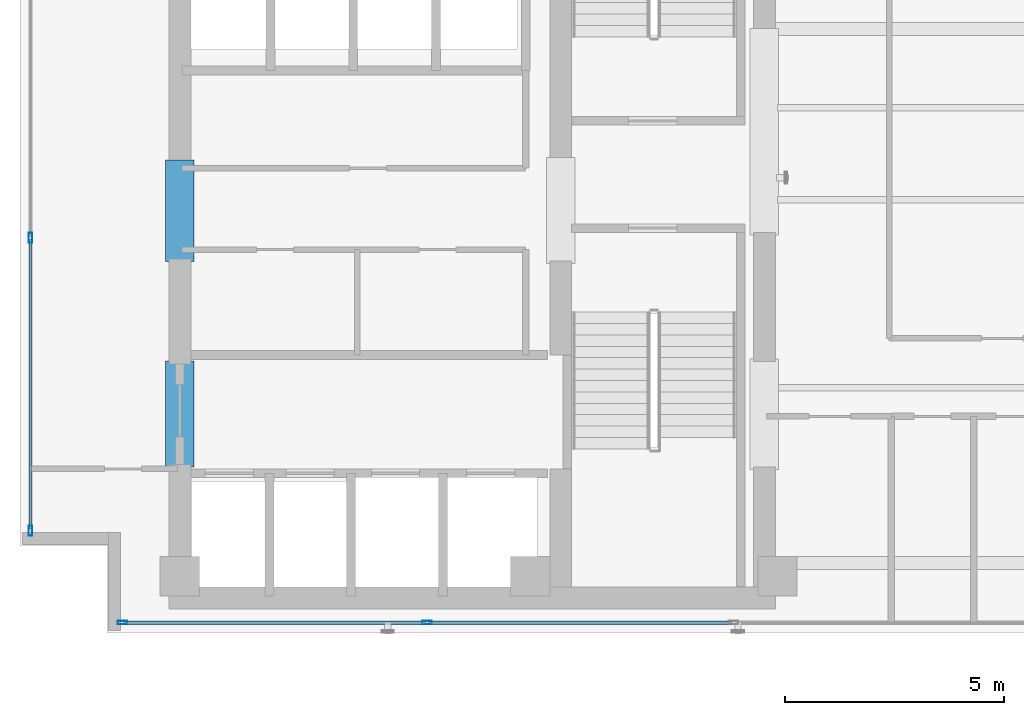
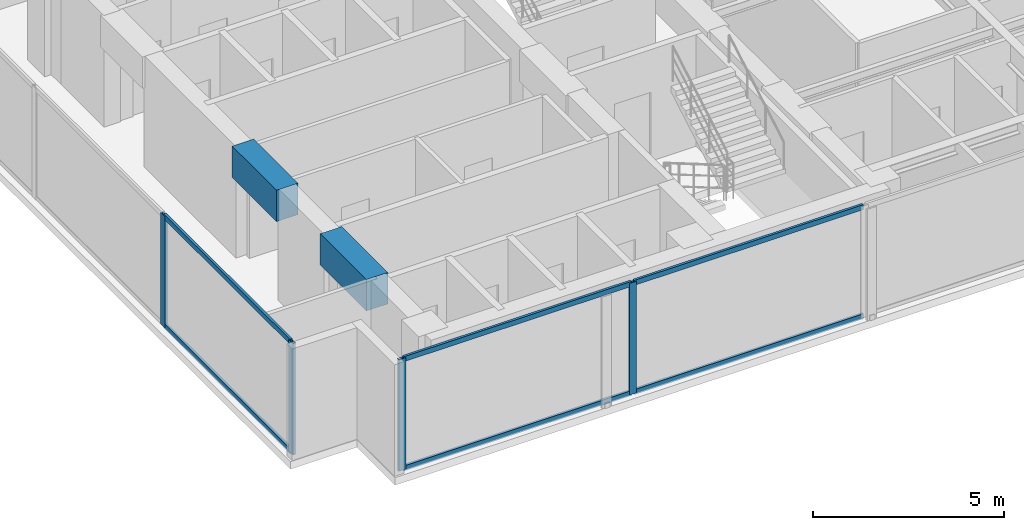
# One storey, part 2 of 24: 10 members, 2 beams, 2 elements without a shape of their own.
"""IFC4 building model written with IfcOpenShell, lengths in metres."""

from ifc_helpers import new_model, si_unit, direction, frame, origin, origin_with_axes, origin_2d, place, context, subcontext, project, spatial, rectangle, hollow_rectangle, extrude, source, transform, mapped, material, layer, layer_set, material_profile, profile_set, type_object, element, aggregate, save


model = new_model("IFC4")

# Units and contexts
model_context = context("Model", 3, precision=1e-05, world=origin(), true_north=direction((0.0, 1.0)))
body_context = subcontext(model_context, "Body", "Model", "MODEL_VIEW")
ifc_project = project(units=[si_unit("LENGTHUNIT", "METRE"), si_unit("AREAUNIT", "SQUARE_METRE"), si_unit("VOLUMEUNIT", "CUBIC_METRE"), si_unit("PLANEANGLEUNIT", "RADIAN"), si_unit("MASSUNIT", "GRAM", prefix="KILO")], contexts=[model_context])

# Site, building, storey
site_placement = place(None, origin())
site = spatial("IfcSite", under=ifc_project, at=site_placement, CompositionType="ELEMENT")
building_placement = place(site_placement, origin())
building = spatial("IfcBuilding", under=site, at=building_placement, Name="Kolvaren Waterfront Exchange", CompositionType="ELEMENT")
storey_placement = place(building_placement, frame((0.0, 0.0, 285.60009765625)))
storey = spatial("IfcBuildingStorey", under=building, at=storey_placement, Name="L73", CompositionType="ELEMENT", Elevation=285.60009765625)

# Beams
ifc_material_1 = material(Name="Concrete C60/75", Category="concrete")
ifc_material_profile_1 = material_profile(ifc_material_1, rectangle(XDim=0.64990234375, YDim=1.0, at=origin_2d()), Name="RC-CB-1000x650")
ifc_profile_set_1 = profile_set([ifc_material_profile_1], Name="Concrete C60/75")
beam_type = type_object("IfcBeamType", Name="STR-CB-1000", PredefinedType="SPANDREL", material=ifc_profile_set_1)
beam_1_placement = place(storey_placement, frame((7.449951171875, 7.389892578125, 3.059814453125), z_axis=(0.0, 1.0, 0.0), x_axis=(-1.0, 0.0, 0.0)))
element("IfcBeam", 1, at=beam_1_placement, inside=storey, type_object=beam_type, Name="L73 core coupling beam 3", PredefinedType="SPANDREL", context=body_context, shape_type="SweptSolid", body=[
    extrude(rectangle(XDim=0.64990234375, YDim=1.0, at=origin_2d()), origin(), (0.0, 0.0, 1.0), 2.420166015625),
])
beam_2_placement = place(storey_placement, frame((7.449951171875, 12.090087890625, 3.059814453125), z_axis=(0.0, 1.0, 0.0), x_axis=(-1.0, 0.0, 0.0)))
element("IfcBeam", 2, at=beam_2_placement, inside=storey, type_object=beam_type, Name="L73 core coupling beam 4", PredefinedType="SPANDREL", context=body_context, shape_type="SweptSolid", body=[
    extrude(rectangle(XDim=0.64990234375, YDim=1.0, at=origin_2d()), origin(), (0.0, 0.0, 1.0), 2.31982421875),
])

# Curtain wall, members
ifc_material_2 = material(Name="Anodised bronze aluminium 6063-T6", Category="aluminium")
ifc_layer_1 = layer(ifc_material_2, 0.219970703125, Name="Anodised bronze aluminium 6063-T6")
ifc_layer_set_1 = layer_set([ifc_layer_1], Name="Anodised bronze aluminium 6063-T6")
curtain_wall_type_1 = type_object("IfcCurtainWallType", Name="ARC-CW-SYS1", PredefinedType="USERDEFINED", material=ifc_layer_set_1)
curtain_wall_1_placement = place(storey_placement, origin())
curtain_wall_1 = element("IfcCurtainWall", 3, at=curtain_wall_1_placement, inside=storey, type_object=curtain_wall_type_1, Name="L73 stick curtain wall CW1 (CW-L73-S)", ObjectType="STICK CURTAIN WALL", PredefinedType="USERDEFINED")
ifc_material_3 = material(Name="Anodised aluminium 6063-T6", Category="aluminium")
ifc_material_profile_2 = material_profile(ifc_material_3, hollow_rectangle(XDim=0.080078125, YDim=0.219970703125, WallThickness=0.0048828125, at=origin_2d()), Name="ALU-MUL-220x80x5")
ifc_profile_set_2 = profile_set([ifc_material_profile_2], Name="Anodised aluminium 6063-T6")
member_type_1 = type_object("IfcMemberType", Name="ARC-CWM-220", PredefinedType="MULLION", material=ifc_profile_set_2)
shared_shape_1 = source(origin_with_axes(), body_context, "Body", "SweptSolid", [
    extrude(hollow_rectangle(XDim=0.080078125, YDim=0.219970703125, WallThickness=0.0048828125, at=origin_2d()), origin(), (0.0, 0.0, 1.0), 3.559814453125),
])
member_1_placement = place(storey_placement, frame((6.139892578125, 3.840087890625, 0.0), z_axis=(0.0, 0.0, 1.0), x_axis=(0.0, 1.0, 0.0)))
member_1 = element("IfcMember", 4, at=member_1_placement, type_object=member_type_1, Name="CW1 mullion 1", PredefinedType="MULLION", context=body_context, shape_type="MappedRepresentation", body=[
    mapped(shared_shape_1, transform((0.0, 0.0, 0.0), x_axis=(1.0, 0.0, 0.0), y_axis=(0.0, 1.0, 0.0), z_axis=(0.0, 0.0, 1.0), scale=1.0)),
])
member_2_placement = place(storey_placement, frame((13.096435546875, 3.840087890625, 0.0), z_axis=(0.0, 0.0, 1.0), x_axis=(0.0, 1.0, 0.0)))
member_2 = element("IfcMember", 5, at=member_2_placement, type_object=member_type_1, Name="CW1 mullion 2", PredefinedType="MULLION", context=body_context, shape_type="MappedRepresentation", body=[
    mapped(shared_shape_1, transform((0.0, 0.0, 0.0), x_axis=(1.0, 0.0, 0.0), y_axis=(0.0, 1.0, 0.0), z_axis=(0.0, 0.0, 1.0), scale=1.0)),
])

ifc_layer_2 = layer(ifc_material_3, 0.219970703125, Name="Anodised aluminium 6063-T6")
ifc_layer_set_2 = layer_set([ifc_layer_2], Name="Anodised aluminium 6063-T6")
curtain_wall_type_2 = type_object("IfcCurtainWallType", Name="ARC-CW-SYS2", PredefinedType="USERDEFINED", material=ifc_layer_set_2)
curtain_wall_2_placement = place(storey_placement, origin())
curtain_wall_2 = element("IfcCurtainWall", 6, at=curtain_wall_2_placement, inside=storey, type_object=curtain_wall_type_2, Name="L73 stick curtain wall CW2 (CW-L73-W)", ObjectType="STICK CURTAIN WALL", PredefinedType="USERDEFINED")
member_3_placement = place(storey_placement, frame((4.0400390625, 5.93994140625, 0.0), z_axis=(0.0, 0.0, 1.0), x_axis=(-1.0, 0.0, 0.0)))
member_3 = element("IfcMember", 7, at=member_3_placement, type_object=member_type_1, Name="CW2 mullion 1", PredefinedType="MULLION", context=body_context, shape_type="MappedRepresentation", body=[
    mapped(shared_shape_1, transform((0.0, 0.0, 0.0), x_axis=(1.0, 0.0, 0.0), y_axis=(0.0, 1.0, 0.0), z_axis=(0.0, 0.0, 1.0), scale=1.0)),
])
member_4_placement = place(storey_placement, frame((4.0400390625, 12.6298828125, 0.0), z_axis=(0.0, 0.0, 1.0), x_axis=(-1.0, 0.0, 0.0)))
member_4 = element("IfcMember", 8, at=member_4_placement, type_object=member_type_1, Name="CW2 mullion 2", PredefinedType="MULLION", context=body_context, shape_type="MappedRepresentation", body=[
    mapped(shared_shape_1, transform((0.0, 0.0, 0.0), x_axis=(1.0, 0.0, 0.0), y_axis=(0.0, 1.0, 0.0), z_axis=(0.0, 0.0, 1.0), scale=1.0)),
])

# Member
ifc_material_profile_3 = material_profile(ifc_material_3, hollow_rectangle(XDim=0.074951171875, YDim=0.159912109375, WallThickness=0.00439453125, at=origin_2d()), Name="ALU-TRN-160x75x4.5")
ifc_profile_set_3 = profile_set([ifc_material_profile_3], Name="Anodised aluminium 6063-T6")
member_type_2 = type_object("IfcMemberType", Name="ARC-CWT-160", PredefinedType="USERDEFINED", material=ifc_profile_set_3)
shared_shape_2 = source(origin_with_axes(), body_context, "Body", "SweptSolid", [
    extrude(hollow_rectangle(XDim=0.074951171875, YDim=0.159912109375, WallThickness=0.00439453125, at=origin_2d()), origin(), (0.0, 0.0, 1.0), 6.87646484375),
])
member_5_placement = place(storey_placement, frame((6.179931640625, 3.840087890625, 0.037353515625), z_axis=(1.0, 0.0, 0.0), x_axis=(0.0, 1.0, 0.0)))
member_5 = element("IfcMember", 9, at=member_5_placement, type_object=member_type_2, Name="CW1 transom 1.1", ObjectType="TRANSOM", PredefinedType="USERDEFINED", context=body_context, shape_type="MappedRepresentation", body=[
    mapped(shared_shape_2, transform((0.0, 0.0, 0.0), x_axis=(1.0, 0.0, 0.0), y_axis=(0.0, 1.0, 0.0), z_axis=(0.0, 0.0, 1.0), scale=1.0)),
])

member_6_placement = place(storey_placement, frame((6.179931640625, 3.840087890625, 3.5224609375), z_axis=(1.0, 0.0, 0.0), x_axis=(0.0, 1.0, 0.0)))
member_6 = element("IfcMember", 10, at=member_6_placement, type_object=member_type_2, Name="CW1 transom 1.2", ObjectType="TRANSOM", PredefinedType="USERDEFINED", context=body_context, shape_type="MappedRepresentation", body=[
    mapped(shared_shape_2, transform((0.0, 0.0, 0.0), x_axis=(1.0, 0.0, 0.0), y_axis=(0.0, 1.0, 0.0), z_axis=(0.0, 0.0, 1.0), scale=1.0)),
])

shared_shape_3 = source(origin_with_axes(), body_context, "Body", "SweptSolid", [
    extrude(hollow_rectangle(XDim=0.074951171875, YDim=0.159912109375, WallThickness=0.00439453125, at=origin_2d()), origin(), (0.0, 0.0, 1.0), 6.91650390625),
])
member_7_placement = place(storey_placement, frame((13.136474609375, 3.840087890625, 0.037353515625), z_axis=(1.0, 0.0, 0.0), x_axis=(0.0, 1.0, 0.0)))
member_7 = element("IfcMember", 11, at=member_7_placement, type_object=member_type_2, Name="CW1 transom 2.1", ObjectType="TRANSOM", PredefinedType="USERDEFINED", context=body_context, shape_type="MappedRepresentation", body=[
    mapped(shared_shape_3, transform((0.0, 0.0, 0.0), x_axis=(1.0, 0.0, 0.0), y_axis=(0.0, 1.0, 0.0), z_axis=(0.0, 0.0, 1.0), scale=1.0)),
])

member_8_placement = place(storey_placement, frame((13.136474609375, 3.840087890625, 3.5224609375), z_axis=(1.0, 0.0, 0.0), x_axis=(0.0, 1.0, 0.0)))
member_8 = element("IfcMember", 12, at=member_8_placement, type_object=member_type_2, Name="CW1 transom 2.2", ObjectType="TRANSOM", PredefinedType="USERDEFINED", context=body_context, shape_type="MappedRepresentation", body=[
    mapped(shared_shape_3, transform((0.0, 0.0, 0.0), x_axis=(1.0, 0.0, 0.0), y_axis=(0.0, 1.0, 0.0), z_axis=(0.0, 0.0, 1.0), scale=1.0)),
])

aggregate(curtain_wall_1, [member_1, member_2, member_5, member_6, member_7, member_8])

shared_shape_4 = source(origin_with_axes(), body_context, "Body", "SweptSolid", [
    extrude(hollow_rectangle(XDim=0.074951171875, YDim=0.159912109375, WallThickness=0.00439453125, at=origin_2d()), origin(), (0.0, 0.0, 1.0), 6.60986328125),
])
member_9_placement = place(storey_placement, frame((4.0400390625, 5.97998046875, 0.037353515625), z_axis=(0.0, 1.0, 0.0), x_axis=(-1.0, 0.0, 0.0)))
member_9 = element("IfcMember", 13, at=member_9_placement, type_object=member_type_2, Name="CW2 transom 1.1", ObjectType="TRANSOM", PredefinedType="USERDEFINED", context=body_context, shape_type="MappedRepresentation", body=[
    mapped(shared_shape_4, transform((0.0, 0.0, 0.0), x_axis=(1.0, 0.0, 0.0), y_axis=(0.0, 1.0, 0.0), z_axis=(0.0, 0.0, 1.0), scale=1.0)),
])

member_10_placement = place(storey_placement, frame((4.0400390625, 5.97998046875, 3.5224609375), z_axis=(0.0, 1.0, 0.0), x_axis=(-1.0, 0.0, 0.0)))
member_10 = element("IfcMember", 14, at=member_10_placement, type_object=member_type_2, Name="CW2 transom 1.2", ObjectType="TRANSOM", PredefinedType="USERDEFINED", context=body_context, shape_type="MappedRepresentation", body=[
    mapped(shared_shape_4, transform((0.0, 0.0, 0.0), x_axis=(1.0, 0.0, 0.0), y_axis=(0.0, 1.0, 0.0), z_axis=(0.0, 0.0, 1.0), scale=1.0)),
])

aggregate(curtain_wall_2, [member_3, member_4, member_9, member_10])

save(model, "model.ifc")
